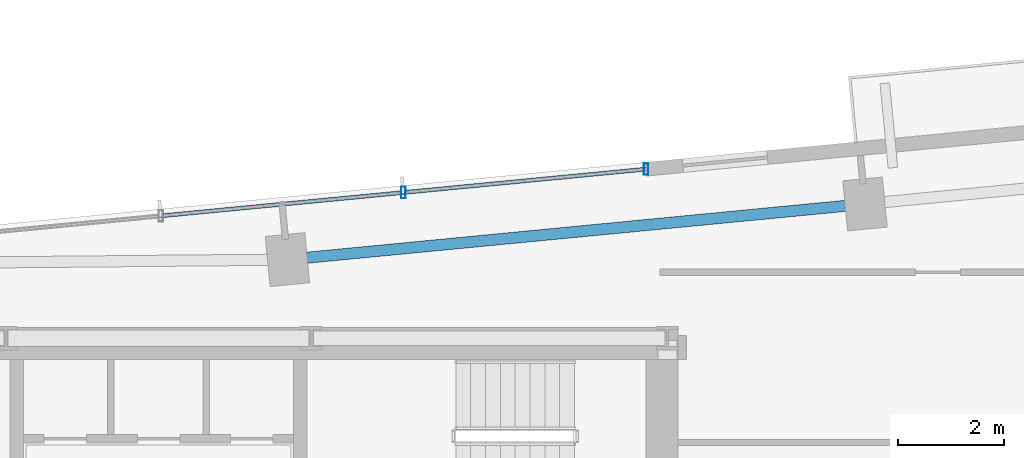
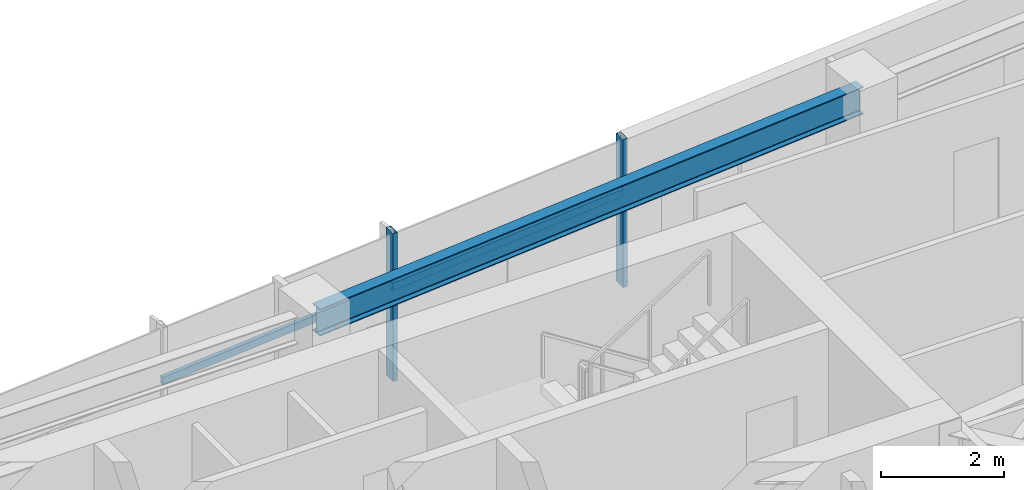
# One storey, part 7 of 18: 4 members, 1 beam, 1 element without a shape of its own.
"""IFC4 building model written with IfcOpenShell, lengths in metres."""

from ifc_helpers import new_model, si_unit, direction, frame, origin, origin_2d, place, context, subcontext, project, spatial, hollow_rectangle, i_section, extrude, source, transform, mapped, material, material_profile, profile_set, type_object, type_shapes, element, aggregate, save


model = new_model("IFC4")

# Units and contexts
model_context = context("Model", 3, precision=1e-05, world=origin(), true_north=direction((0.0, 1.0)))
body_context = subcontext(model_context, "Body", "Model", "MODEL_VIEW")
ifc_project = project(units=[si_unit("LENGTHUNIT", "METRE"), si_unit("AREAUNIT", "SQUARE_METRE"), si_unit("VOLUMEUNIT", "CUBIC_METRE"), si_unit("PLANEANGLEUNIT", "RADIAN"), si_unit("MASSUNIT", "GRAM", prefix="KILO")], contexts=[model_context])

# Site, building, storey
site_placement = place(None, origin())
site = spatial("IfcSite", under=ifc_project, at=site_placement, CompositionType="ELEMENT")
building_placement = place(site_placement, origin())
building = spatial("IfcBuilding", under=site, at=building_placement, Name="Astriad Promenade Condominiums", CompositionType="ELEMENT")
storey_placement = place(building_placement, frame((0.0, 0.0, 179.39990234375)))
storey = spatial("IfcBuildingStorey", under=building, at=storey_placement, Name="L51", CompositionType="ELEMENT", Elevation=179.39990234375)

# Beam
ifc_material_1 = material(Name="Steel ASTM A992 Grade 50", Category="steel")
ifc_material_profile_1 = material_profile(ifc_material_1, i_section(OverallWidth=0.210693359375, OverallDepth=0.53955078125, WebThickness=0.01171875, FlangeThickness=0.018798828125, FilletRadius=0.0166015625, at=origin_2d()), Name="W21X73")
ifc_profile_set_1 = profile_set([ifc_material_profile_1], Name="Steel ASTM A992 Grade 50")
beam_type = type_object("IfcBeamType", Name="STEEL SPANDREL BEAM W21X73", PredefinedType="SPANDREL", material=ifc_profile_set_1)
shared_shape_1 = source(origin(), body_context, "Body", "SweptSolid", [
    extrude(i_section(OverallWidth=0.210693359375, OverallDepth=0.53955078125, WebThickness=0.01171875, FlangeThickness=0.018798828125, FilletRadius=0.0166015625, at=origin_2d()), origin(), (0.0, 0.0, 1.0), 10.869873046875),
])
type_shapes(beam_type, [shared_shape_1])
beam_placement = place(storey_placement, frame((49.291015625, 26.52880859375, 2.67041015625), z_axis=(-0.995394779798, -0.09586048378, 0.0), x_axis=(0.09586048378, -0.995394779798, 0.0)))
element("IfcBeam", 1, at=beam_placement, inside=storey, type_object=beam_type, Name="Perimeter Spandrel Beam SP-N3-L51", PredefinedType="SPANDREL", context=body_context, shape_type="MappedRepresentation", body=[
    mapped(shared_shape_1, transform((0.0, 0.0, 0.0), scale=1.0)),
])

# Curtain wall, members
ifc_material_2 = material(Name="Anodised aluminium Black Dark Glass Unitised", Category="aluminium")
curtain_wall_type = type_object("IfcCurtainWallType", Name="CW-B34-DARK", PredefinedType="USERDEFINED", material=ifc_material_2)
curtain_wall_placement = place(storey_placement, origin())
curtain_wall = element("IfcCurtainWall", 2, at=curtain_wall_placement, inside=storey, type_object=curtain_wall_type, Name="CW-L51-N", ObjectType="UNITISED_CURTAIN_WALL", PredefinedType="USERDEFINED")
ifc_material_3 = material(Name="Anodised aluminium 6063-T6 Black", Category="aluminium")
ifc_material_profile_2 = material_profile(ifc_material_3, hollow_rectangle(XDim=0.0849609375, YDim=0.219970703125, WallThickness=0.0048828125, at=origin_2d()), Name="ALU-MUL-85X220")
ifc_profile_set_2 = profile_set([ifc_material_profile_2], Name="Anodised aluminium 6063-T6 Black")
member_type_1 = type_object("IfcMemberType", Name="MUL-ALU-MUL-85X220", PredefinedType="MULLION", material=ifc_profile_set_2)
shared_shape_2 = source(origin(), body_context, "Body", "SweptSolid", [
    extrude(hollow_rectangle(XDim=0.0849609375, YDim=0.219970703125, WallThickness=0.0048828125, at=origin_2d()), origin(), (0.0, 0.0, 1.0), 2.940185546875),
])
type_shapes(member_type_1, [shared_shape_2])
member_1_placement = place(storey_placement, frame((40.6201171875, 26.748779296875, 0.0), z_axis=(0.0, 0.0, 1.0), x_axis=(1.0, 0.0, 0.0)))
member_1 = element("IfcMember", 3, at=member_1_placement, type_object=member_type_1, Name="CW-L51-N-MUL-02", PredefinedType="MULLION", context=body_context, shape_type="MappedRepresentation", body=[
    mapped(shared_shape_2, transform((0.0, 0.0, 0.0), scale=1.0)),
])
member_2_placement = place(storey_placement, frame((45.198974609375, 27.189697265625, 0.0), z_axis=(0.0, 0.0, 1.0), x_axis=(1.0, 0.0, 0.0)))
member_2 = element("IfcMember", 4, at=member_2_placement, type_object=member_type_1, Name="CW-L51-N-MUL-03", PredefinedType="MULLION", context=body_context, shape_type="MappedRepresentation", body=[
    mapped(shared_shape_2, transform((0.0, 0.0, 0.0), scale=1.0)),
])
ifc_material_profile_3 = material_profile(ifc_material_3, hollow_rectangle(XDim=0.074951171875, YDim=0.14990234375, WallThickness=0.004150390625, at=origin_2d()), Name="ALU-TRN-75X150")
ifc_profile_set_3 = profile_set([ifc_material_profile_3], Name="Anodised aluminium 6063-T6 Black")
member_type_2 = type_object("IfcMemberType", Name="TRN-ALU-TRN-75X150", PredefinedType="USERDEFINED", material=ifc_profile_set_3)
shared_shape_3 = source(origin(), body_context, "Body", "SweptSolid", [
    extrude(hollow_rectangle(XDim=0.074951171875, YDim=0.14990234375, WallThickness=0.004150390625, at=origin_2d()), origin(), (0.0, 0.0, 1.0), 4.60009765625),
])
type_shapes(member_type_2, [shared_shape_3])
member_3_placement = place(storey_placement, frame((36.041259765625, 26.307861328125, 1.822998046875), z_axis=(0.995395697572, 0.095850953336, 0.0), x_axis=(-0.095850953336, 0.995395697572, 0.0)))
member_3 = element("IfcMember", 5, at=member_3_placement, type_object=member_type_2, Name="CW-L51-N-TRN-01-0", ObjectType="TRANSOM", PredefinedType="USERDEFINED", context=body_context, shape_type="MappedRepresentation", body=[
    mapped(shared_shape_3, transform((0.0, 0.0, 0.0), scale=1.0)),
])
member_4_placement = place(storey_placement, frame((40.6201171875, 26.748779296875, 1.822998046875), z_axis=(0.995395697572, 0.095850953336, 0.0), x_axis=(-0.095850953336, 0.995395697572, 0.0)))
member_4 = element("IfcMember", 6, at=member_4_placement, type_object=member_type_2, Name="CW-L51-N-TRN-02-0", ObjectType="TRANSOM", PredefinedType="USERDEFINED", context=body_context, shape_type="MappedRepresentation", body=[
    mapped(shared_shape_3, transform((0.0, 0.0, 0.0), scale=1.0)),
])
aggregate(curtain_wall, [member_1, member_2, member_3, member_4])

save(model, "model.ifc")
